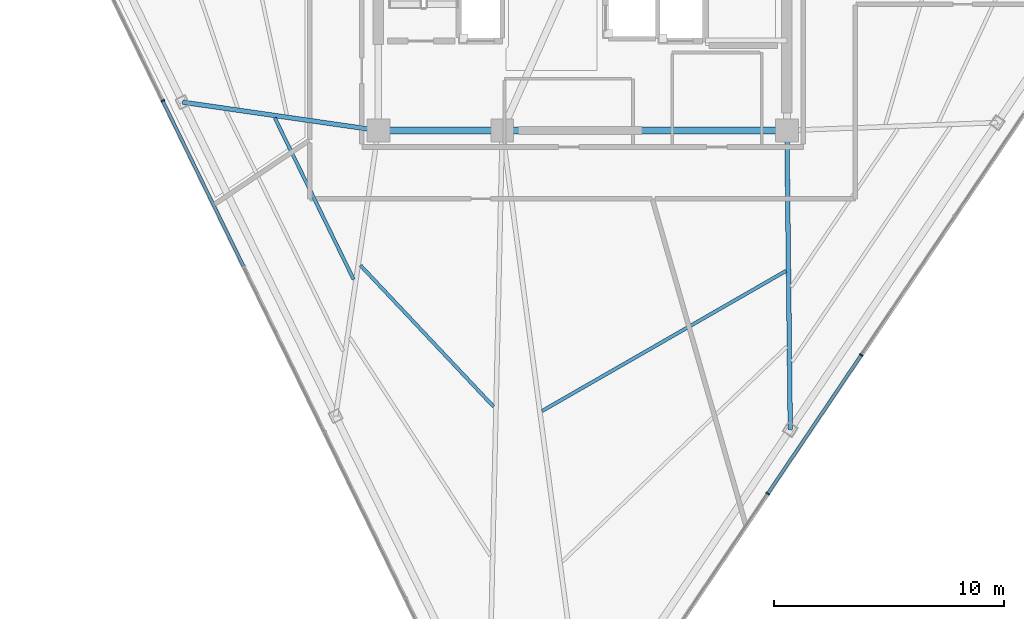
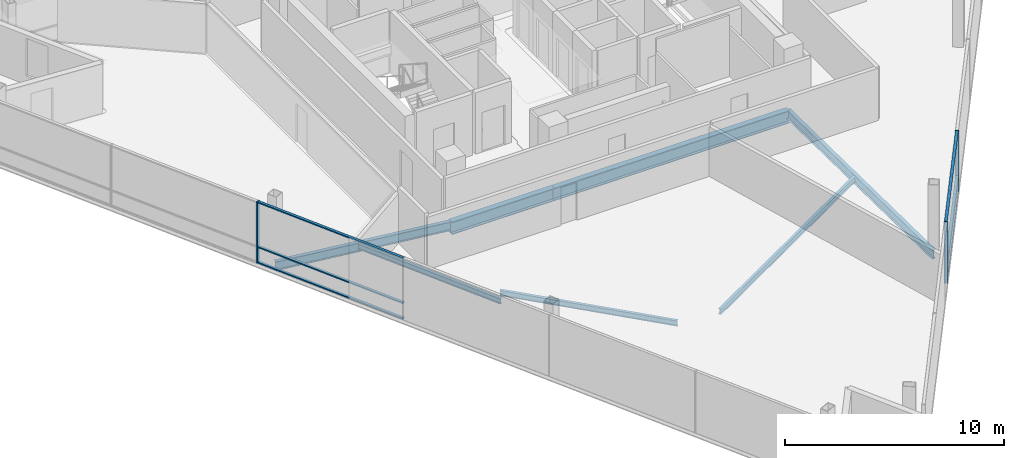
# One storey, part 3 of 14: 9 members, 7 beams, 2 elements without a shape of their own.
"""IFC4 building model written with IfcOpenShell, lengths in metres."""

from ifc_helpers import new_model, si_unit, direction, frame, origin, origin_2d, place, context, subcontext, project, spatial, rectangle, i_section, extrude, material, layer, layer_set, material_profile, profile_set, type_object, element, aggregate, save


model = new_model("IFC4")

# Units and contexts
model_context = context("Model", 3, precision=1e-05, world=origin(), true_north=direction((0.0, 1.0)))
body_context = subcontext(model_context, "Body", "Model", "MODEL_VIEW")
ifc_project = project(units=[si_unit("LENGTHUNIT", "METRE"), si_unit("AREAUNIT", "SQUARE_METRE"), si_unit("VOLUMEUNIT", "CUBIC_METRE"), si_unit("PLANEANGLEUNIT", "RADIAN"), si_unit("MASSUNIT", "GRAM", prefix="KILO")], contexts=[model_context])

# Site, building, storey
site_placement = place(None, origin())
site = spatial("IfcSite", under=ifc_project, at=site_placement, CompositionType="ELEMENT")
building_placement = place(site_placement, origin())
building = spatial("IfcBuilding", under=site, at=building_placement, Name="Tharavind Bronze Gate", CompositionType="ELEMENT")
storey_placement = place(building_placement, frame((0.0, 0.0, 230.64990234375)))
storey = spatial("IfcBuildingStorey", under=building, at=storey_placement, Name="L59", CompositionType="ELEMENT", Elevation=230.64990234375)

# Curtain wall, member
ifc_material_1 = material(Name="Anodised Bronze Aluminium", Category="aluminium")
ifc_layer = layer(ifc_material_1, 0.219970703125)
ifc_layer_set = layer_set([ifc_layer], Name="Anodised Bronze Aluminium")
curtain_wall_type = type_object("IfcCurtainWallType", Name="UNITISED CURTAIN WALL UPPER OFFICE", PredefinedType="USERDEFINED", material=ifc_layer_set)
curtain_wall_1_placement = place(storey_placement, origin())
curtain_wall_1 = element("IfcCurtainWall", 1, at=curtain_wall_1_placement, inside=storey, type_object=curtain_wall_type, Name="L59 unitised curtain wall upper office CW-L59-S1", ObjectType="UNITISED CURTAIN WALL", PredefinedType="USERDEFINED")
member_type_1 = type_object("IfcMemberType", Name="CURTAIN WALL BRONZE MULLION 65X180", PredefinedType="MULLION", material=ifc_material_1)
member_1_placement = place(storey_placement, frame((-18.289794921875, -6.308349609375, 0.000244140625), z_axis=(0.0, 0.0, 1.0), x_axis=(0.438371146789, -0.898794046299, 0.0)))
member_1 = element("IfcMember", 2, at=member_1_placement, type_object=member_type_1, Name="CW-L59-S1 mullion 3", PredefinedType="MULLION", context=body_context, shape_type="SweptSolid", body=[
    extrude(rectangle(XDim=0.06494140625, YDim=0.179931640625, at=origin_2d()), origin(), (0.0, 0.0, 1.0), 3.419921875),
])

# Curtain wall, members
curtain_wall_2_placement = place(storey_placement, origin())
curtain_wall_2 = element("IfcCurtainWall", 3, at=curtain_wall_2_placement, inside=storey, type_object=curtain_wall_type, Name="L59 unitised curtain wall upper office CW-L59-S2", ObjectType="UNITISED CURTAIN WALL", PredefinedType="USERDEFINED")
member_2_placement = place(storey_placement, frame((8.06787109375, -23.4189453125, 0.000244140625), z_axis=(0.0, 0.0, 1.0), x_axis=(0.559192903471, 0.829037572555, 0.0)))
member_2 = element("IfcMember", 4, at=member_2_placement, type_object=member_type_1, Name="CW-L59-S2 mullion 3", PredefinedType="MULLION", context=body_context, shape_type="SweptSolid", body=[
    extrude(rectangle(XDim=0.06494140625, YDim=0.179931640625, at=origin_2d()), origin(), (0.0, 0.0, 1.0), 3.419921875),
])
member_3_placement = place(storey_placement, frame((12.140380859375, -17.381103515625, 0.000244140625), z_axis=(0.0, 0.0, 1.0), x_axis=(0.559192903471, 0.829037572555, 0.0)))
member_3 = element("IfcMember", 5, at=member_3_placement, type_object=member_type_1, Name="CW-L59-S2 mullion 4", PredefinedType="MULLION", context=body_context, shape_type="SweptSolid", body=[
    extrude(rectangle(XDim=0.06494140625, YDim=0.179931640625, at=origin_2d()), origin(), (0.0, 0.0, 1.0), 3.419921875),
])

# Member
member_type_2 = type_object("IfcMemberType", Name="CURTAIN WALL BRONZE TRANSOM 65X140", PredefinedType="USERDEFINED", material=ifc_material_1)
member_4_placement = place(storey_placement, frame((-16.528076171875, -9.920654296875, 0.000244140625), z_axis=(0.0, 0.0, 1.0), x_axis=(0.438371146789, -0.898794046299, 0.0)))
member_4 = element("IfcMember", 6, at=member_4_placement, type_object=member_type_2, Name="CW-L59-S1 transom TB3", ObjectType="TRANSOM", PredefinedType="USERDEFINED", context=body_context, shape_type="SweptSolid", body=[
    extrude(rectangle(XDim=7.985107421875, YDim=0.139892578125, at=origin_2d()), origin(), (0.0, 0.0, 1.0), 0.06494140625),
])

member_5_placement = place(storey_placement, frame((-16.528076171875, -9.920654296875, 0.86767578125), z_axis=(0.0, 0.0, 1.0), x_axis=(0.438371146789, -0.898794046299, 0.0)))
member_5 = element("IfcMember", 7, at=member_5_placement, type_object=member_type_2, Name="CW-L59-S1 transom TS3", ObjectType="TRANSOM", PredefinedType="USERDEFINED", context=body_context, shape_type="SweptSolid", body=[
    extrude(rectangle(XDim=7.985107421875, YDim=0.139892578125, at=origin_2d()), origin(), (0.0, 0.0, 1.0), 0.06494140625),
])

member_6_placement = place(storey_placement, frame((-16.528076171875, -9.920654296875, 3.355224609375), z_axis=(0.0, 0.0, 1.0), x_axis=(0.438371146789, -0.898794046299, 0.0)))
member_6 = element("IfcMember", 8, at=member_6_placement, type_object=member_type_2, Name="CW-L59-S1 transom TT3", ObjectType="TRANSOM", PredefinedType="USERDEFINED", context=body_context, shape_type="SweptSolid", body=[
    extrude(rectangle(XDim=7.985107421875, YDim=0.139892578125, at=origin_2d()), origin(), (0.0, 0.0, 1.0), 0.06494140625),
])

aggregate(curtain_wall_1, [member_1, member_4, member_5, member_6])

member_7_placement = place(storey_placement, frame((10.10400390625, -20.39990234375, 0.000244140625), z_axis=(0.0, 0.0, 1.0), x_axis=(0.559192903471, 0.829037572555, 0.0)))
member_7 = element("IfcMember", 9, at=member_7_placement, type_object=member_type_2, Name="CW-L59-S2 transom TB3", ObjectType="TRANSOM", PredefinedType="USERDEFINED", context=body_context, shape_type="SweptSolid", body=[
    extrude(rectangle(XDim=7.22998046875, YDim=0.139892578125, at=origin_2d()), origin(), (0.0, 0.0, 1.0), 0.06494140625),
])

member_8_placement = place(storey_placement, frame((10.10400390625, -20.39990234375, 0.86767578125), z_axis=(0.0, 0.0, 1.0), x_axis=(0.559192903471, 0.829037572555, 0.0)))
member_8 = element("IfcMember", 10, at=member_8_placement, type_object=member_type_2, Name="CW-L59-S2 transom TS3", ObjectType="TRANSOM", PredefinedType="USERDEFINED", context=body_context, shape_type="SweptSolid", body=[
    extrude(rectangle(XDim=7.22998046875, YDim=0.139892578125, at=origin_2d()), origin(), (0.0, 0.0, 1.0), 0.06494140625),
])

member_9_placement = place(storey_placement, frame((10.10400390625, -20.39990234375, 3.355224609375), z_axis=(0.0, 0.0, 1.0), x_axis=(0.559192903471, 0.829037572555, 0.0)))
member_9 = element("IfcMember", 11, at=member_9_placement, type_object=member_type_2, Name="CW-L59-S2 transom TT3", ObjectType="TRANSOM", PredefinedType="USERDEFINED", context=body_context, shape_type="SweptSolid", body=[
    extrude(rectangle(XDim=7.22998046875, YDim=0.139892578125, at=origin_2d()), origin(), (0.0, 0.0, 1.0), 0.06494140625),
])

aggregate(curtain_wall_2, [member_2, member_3, member_7, member_8, member_9])

# Beams
ifc_material_2 = material(Name="Steel S355", Category="steel")
ifc_material_profile_1 = material_profile(ifc_material_2, i_section(OverallWidth=0.199951171875, OverallDepth=0.5, WebThickness=0.01025390625, FlangeThickness=0.01611328125, at=origin_2d()), Name="IPE500")
ifc_profile_set_1 = profile_set([ifc_material_profile_1], Name="Steel S355")
beam_type_1 = type_object("IfcBeamType", Name="PRIMARY GIRDER IPE500", PredefinedType="USERDEFINED", material=ifc_profile_set_1)
beam_1_placement = place(storey_placement, frame((-17.42578125, -6.368896484375, -0.429931640625), z_axis=(0.989733524733, -0.142924980391, 0.0), x_axis=(0.142924980391, 0.989733524733, 0.0)))
element("IfcBeam", 12, at=beam_1_placement, inside=storey, type_object=beam_type_1, Name="L59 primary girder ipe500 BM-L59-RAD02", ObjectType="GIRDER", PredefinedType="USERDEFINED", context=body_context, shape_type="SweptSolid", body=[
    extrude(i_section(OverallWidth=0.199951171875, OverallDepth=0.5, WebThickness=0.01025390625, FlangeThickness=0.01611328125, at=origin_2d()), origin(), (0.0, 0.0, 1.0), 8.6142578125),
])
beam_2_placement = place(storey_placement, frame((9.045654296875, -20.627685546875, -0.429931640625), z_axis=(-0.01118724612, 0.999937420804, 0.0), x_axis=(-0.999937420804, -0.01118724612, 0.0)))
element("IfcBeam", 13, at=beam_2_placement, inside=storey, type_object=beam_type_1, Name="L59 primary girder ipe500 BM-L59-RAD06", ObjectType="GIRDER", PredefinedType="USERDEFINED", context=body_context, shape_type="SweptSolid", body=[
    extrude(i_section(OverallWidth=0.199951171875, OverallDepth=0.5, WebThickness=0.01025390625, FlangeThickness=0.01611328125, at=origin_2d()), origin(), (0.0, 0.0, 1.0), 13.0283203125),
])
ifc_material_profile_2 = material_profile(ifc_material_2, i_section(OverallWidth=0.300048828125, OverallDepth=0.699951171875, WebThickness=0.01708984375, FlangeThickness=0.031982421875, at=origin_2d()), Name="HE700B")
ifc_profile_set_2 = profile_set([ifc_material_profile_2], Name="Steel S355")
beam_type_2 = type_object("IfcBeamType", Name="RING GIRDER HE700B", PredefinedType="USERDEFINED", material=ifc_profile_set_2)
beam_3_placement = place(storey_placement, frame((-8.89990234375, -7.60009765625, -0.52978515625), z_axis=(1.0, 0.0, 0.0), x_axis=(0.0, 1.0, 0.0)))
element("IfcBeam", 14, at=beam_3_placement, inside=storey, type_object=beam_type_2, Name="L59 ring girder he700b BM-L59-CR1", ObjectType="GIRDER", PredefinedType="USERDEFINED", context=body_context, shape_type="SweptSolid", body=[
    extrude(i_section(OverallWidth=0.300048828125, OverallDepth=0.699951171875, WebThickness=0.01708984375, FlangeThickness=0.031982421875, at=origin_2d()), origin(), (0.0, 0.0, 1.0), 5.39990234375),
])
beam_4_placement = place(storey_placement, frame((-3.5, -7.60009765625, -0.52978515625), z_axis=(1.0, 0.0, 0.0), x_axis=(0.0, 1.0, 0.0)))
element("IfcBeam", 15, at=beam_4_placement, inside=storey, type_object=beam_type_2, Name="L59 ring girder he700b BM-L59-CR2", ObjectType="GIRDER", PredefinedType="USERDEFINED", context=body_context, shape_type="SweptSolid", body=[
    extrude(i_section(OverallWidth=0.300048828125, OverallDepth=0.699951171875, WebThickness=0.01708984375, FlangeThickness=0.031982421875, at=origin_2d()), origin(), (0.0, 0.0, 1.0), 12.39990234375),
])
ifc_material_profile_3 = material_profile(ifc_material_2, i_section(OverallWidth=0.14990234375, OverallDepth=0.300048828125, WebThickness=0.007080078125, FlangeThickness=0.0107421875, at=origin_2d()), Name="IPE300")
ifc_profile_set_3 = profile_set([ifc_material_profile_3], Name="Steel S355")
beam_type_3 = type_object("IfcBeamType", Name="SECONDARY FLOOR JOIST IPE300", PredefinedType="JOIST", material=ifc_profile_set_3)
beam_5_placement = place(storey_placement, frame((-13.406494140625, -7.0537109375, -0.329833984375), z_axis=(0.438363440935, -0.898797804654, 0.0), x_axis=(0.898797804654, 0.438363440935, 0.0)))
element("IfcBeam", 16, at=beam_5_placement, inside=storey, type_object=beam_type_3, Name="L59 secondary floor joist ipe300 BM-L59-JSTA02", PredefinedType="JOIST", context=body_context, shape_type="SweptSolid", body=[
    extrude(i_section(OverallWidth=0.14990234375, OverallDepth=0.300048828125, WebThickness=0.007080078125, FlangeThickness=0.0107421875, at=origin_2d()), origin(), (0.0, 0.0, 1.0), 7.83154296875),
])
beam_6_placement = place(storey_placement, frame((-9.674072265625, -13.47998046875, -0.329833984375), z_axis=(0.685776148946, -0.727812526367, 0.0), x_axis=(0.727812526367, 0.685776148946, 0.0)))
element("IfcBeam", 17, at=beam_6_placement, inside=storey, type_object=beam_type_3, Name="L59 secondary floor joist ipe300 BM-L59-JSTA03", PredefinedType="JOIST", context=body_context, shape_type="SweptSolid", body=[
    extrude(i_section(OverallWidth=0.14990234375, OverallDepth=0.300048828125, WebThickness=0.007080078125, FlangeThickness=0.0107421875, at=origin_2d()), origin(), (0.0, 0.0, 1.0), 8.456298828125),
])
beam_7_placement = place(storey_placement, frame((-1.7626953125, -19.8193359375, -0.329833984375), z_axis=(0.867210244303, 0.497942157459, 0.0), x_axis=(-0.497942157459, 0.867210244303, 0.0)))
element("IfcBeam", 18, at=beam_7_placement, inside=storey, type_object=beam_type_3, Name="L59 secondary floor joist ipe300 BM-L59-JSTA05", PredefinedType="JOIST", context=body_context, shape_type="SweptSolid", body=[
    extrude(i_section(OverallWidth=0.14990234375, OverallDepth=0.300048828125, WebThickness=0.007080078125, FlangeThickness=0.0107421875, at=origin_2d()), origin(), (0.0, 0.0, 1.0), 12.255126953125),
])

save(model, "model.ifc")
